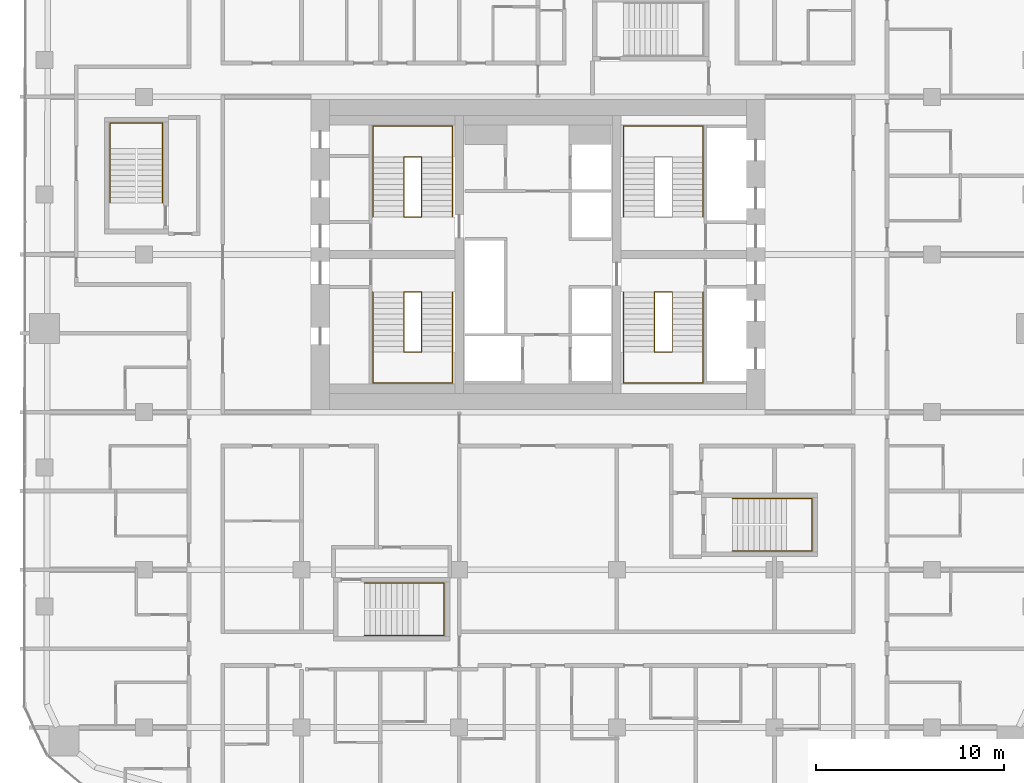
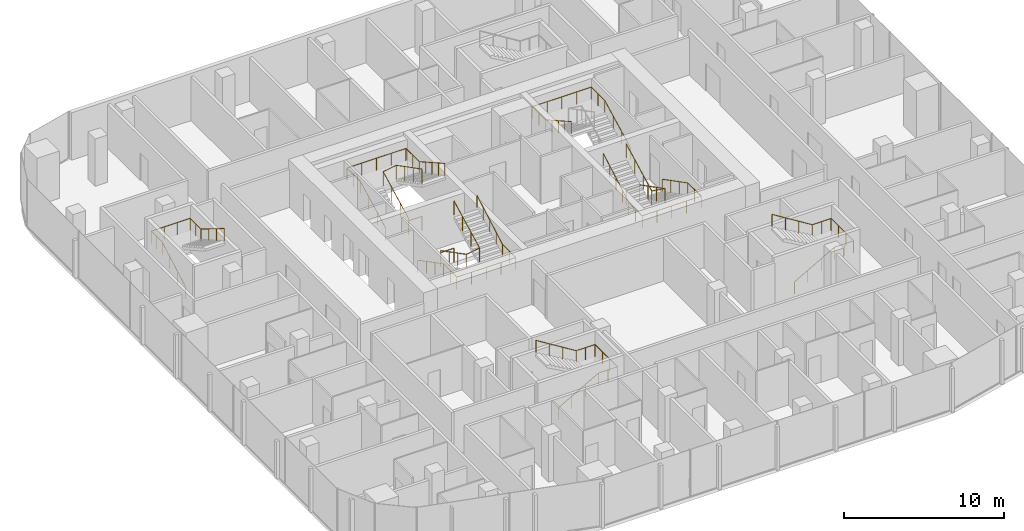
# One storey, part 22 of 23: 10 railings.
"""IFC4 building model written with IfcOpenShell, lengths in metres."""

from ifc_helpers import new_model, si_unit, direction, frame, origin, origin_2d, place, context, subcontext, project, spatial, circle, extrude, material, type_object, element, save


model = new_model("IFC4")

# Units and contexts
model_context = context("Model", 3, precision=1e-05, world=origin(), true_north=direction((0.0, 1.0)))
body_context = subcontext(model_context, "Body", "Model", "MODEL_VIEW")
ifc_project = project(units=[si_unit("LENGTHUNIT", "METRE"), si_unit("AREAUNIT", "SQUARE_METRE"), si_unit("VOLUMEUNIT", "CUBIC_METRE"), si_unit("PLANEANGLEUNIT", "RADIAN"), si_unit("MASSUNIT", "GRAM", prefix="KILO")], contexts=[model_context])

# Site, building, storey
site_placement = place(None, origin())
site = spatial("IfcSite", under=ifc_project, at=site_placement, CompositionType="ELEMENT")
building_placement = place(site_placement, origin())
building = spatial("IfcBuilding", under=site, at=building_placement, Name="Marenta Gate Hotel Tower", CompositionType="ELEMENT")
storey_placement = place(building_placement, frame((0.0, 0.0, 104.89990234375)))
storey = spatial("IfcBuildingStorey", under=building, at=storey_placement, Name="L22", CompositionType="ELEMENT", Elevation=104.89990234375)

# Railings
ifc_material_1 = material(Name="Stainless steel", Category="steel")
railing_type_1 = type_object("IfcRailingType", Name="Core stair handrail 950", PredefinedType="HANDRAIL", material=ifc_material_1)
railing_1_placement = place(storey_placement, frame((-8.800048828125, 6.39990234375, 0.150146484375)))
element("IfcRailing", 1, at=railing_1_placement, inside=storey, type_object=railing_type_1, Name="HR-950 L22-KR-ST1-1", PredefinedType="HANDRAIL", context=body_context, shape_type="SweptSolid", body=[
    extrude(circle(Radius=0.02392578125, at=origin_2d()), frame((0.0, 0.0, 0.92578125), z_axis=(0.0, -0.888225295554, 0.459408123936), x_axis=(1.0, 0.0, 0.0)), (0.0, 0.0, 1.0), 3.59130859375),
    extrude(circle(Radius=0.02392578125, at=origin_2d()), frame((0.0, -3.18994140625, 2.57568359375), z_axis=(0.0, -1.0, 0.0), x_axis=(1.0, 0.0, 0.0)), (0.0, 0.0, 1.0), 1.659912109375),
    extrude(circle(Radius=0.02392578125, at=origin_2d()), frame((0.0, -4.849853515625, 2.57568359375), z_axis=(1.0, 0.0, 0.0), x_axis=(0.0, 1.0, 0.0)), (0.0, 0.0, 1.0), 4.25),
    extrude(circle(Radius=0.02392578125, at=origin_2d()), frame((4.25, -4.849853515625, 2.57568359375), z_axis=(0.0, 1.0, 0.0), x_axis=(-1.0, 0.0, 0.0)), (0.0, 0.0, 1.0), 1.659912109375),
    extrude(circle(Radius=0.02392578125, at=origin_2d()), frame((4.25, -3.18994140625, 2.57568359375), z_axis=(0.0, 0.87090897868, 0.491444351738), x_axis=(-1.0, 0.0, 0.0)), (0.0, 0.0, 1.0), 3.662841796875),
    extrude(circle(Radius=0.02099609375, at=origin_2d()), origin(), (0.0, 0.0, 1.0), 0.90185546875),
    extrude(circle(Radius=0.02099609375, at=origin_2d()), frame((0.0, -1.063232421875, 0.550048828125)), (0.0, 0.0, 1.0), 0.90185546875),
    extrude(circle(Radius=0.02099609375, at=origin_2d()), frame((0.0, -2.126708984375, 1.099853515625)), (0.0, 0.0, 1.0), 0.90185546875),
    extrude(circle(Radius=0.02099609375, at=origin_2d()), frame((0.0, -3.18994140625, 1.64990234375)), (0.0, 0.0, 1.0), 0.90185546875),
    extrude(circle(Radius=0.02099609375, at=origin_2d()), frame((0.0, -4.02001953125, 1.64990234375)), (0.0, 0.0, 1.0), 0.90185546875),
    extrude(circle(Radius=0.02099609375, at=origin_2d()), frame((0.0, -4.849853515625, 1.64990234375)), (0.0, 0.0, 1.0), 0.90185546875),
    extrude(circle(Radius=0.02099609375, at=origin_2d()), frame((1.0625, -4.849853515625, 1.64990234375)), (0.0, 0.0, 1.0), 0.90185546875),
    extrude(circle(Radius=0.02099609375, at=origin_2d()), frame((2.125, -4.849853515625, 1.64990234375)), (0.0, 0.0, 1.0), 0.90185546875),
    extrude(circle(Radius=0.02099609375, at=origin_2d()), frame((3.1875, -4.849853515625, 1.64990234375)), (0.0, 0.0, 1.0), 0.90185546875),
    extrude(circle(Radius=0.02099609375, at=origin_2d()), frame((4.25, -4.849853515625, 1.64990234375)), (0.0, 0.0, 1.0), 0.90185546875),
    extrude(circle(Radius=0.02099609375, at=origin_2d()), frame((4.25, -4.02001953125, 1.64990234375)), (0.0, 0.0, 1.0), 0.90185546875),
    extrude(circle(Radius=0.02099609375, at=origin_2d()), frame((4.25, -3.18994140625, 1.64990234375)), (0.0, 0.0, 1.0), 0.90185546875),
    extrude(circle(Radius=0.02099609375, at=origin_2d()), frame((4.25, -2.392578125, 2.099853515625)), (0.0, 0.0, 1.0), 0.90185546875),
    extrude(circle(Radius=0.02099609375, at=origin_2d()), frame((4.25, -1.594970703125, 2.5498046875)), (0.0, 0.0, 1.0), 0.90185546875),
    extrude(circle(Radius=0.02099609375, at=origin_2d()), frame((4.25, -0.79736328125, 3.0)), (0.0, 0.0, 1.0), 0.90185546875),
    extrude(circle(Radius=0.02099609375, at=origin_2d()), frame((4.25, 0.0, 3.449951171875)), (0.0, 0.0, 1.0), 0.90185546875),
])
railing_2_placement = place(storey_placement, frame((-8.800048828125, 10.39990234375, 0.150146484375)))
element("IfcRailing", 2, at=railing_2_placement, inside=storey, type_object=railing_type_1, Name="HR-950 L22-KR-ST2-1", PredefinedType="HANDRAIL", context=body_context, shape_type="SweptSolid", body=[
    extrude(circle(Radius=0.02392578125, at=origin_2d()), frame((0.0, 0.0, 0.92578125), z_axis=(0.0, 0.888239641807, 0.459380385653), x_axis=(-1.0, 0.0, 0.0)), (0.0, 0.0, 1.0), 3.591552734375),
    extrude(circle(Radius=0.02392578125, at=origin_2d()), frame((0.0, 3.190185546875, 2.57568359375), z_axis=(0.0, 1.0, 0.0), x_axis=(-1.0, 0.0, 0.0)), (0.0, 0.0, 1.0), 1.659912109375),
    extrude(circle(Radius=0.02392578125, at=origin_2d()), frame((0.0, 4.85009765625, 2.57568359375), z_axis=(1.0, 0.0, 0.0), x_axis=(0.0, 1.0, 0.0)), (0.0, 0.0, 1.0), 4.25),
    extrude(circle(Radius=0.02392578125, at=origin_2d()), frame((4.25, 4.85009765625, 2.57568359375), z_axis=(0.0, -1.0, 0.0), x_axis=(1.0, 0.0, 0.0)), (0.0, 0.0, 1.0), 1.659912109375),
    extrude(circle(Radius=0.02392578125, at=origin_2d()), frame((4.25, 3.190185546875, 2.57568359375), z_axis=(0.0, -0.870925075533, 0.491415824742), x_axis=(1.0, 0.0, 0.0)), (0.0, 0.0, 1.0), 3.6630859375),
    extrude(circle(Radius=0.02099609375, at=origin_2d()), origin(), (0.0, 0.0, 1.0), 0.90185546875),
    extrude(circle(Radius=0.02099609375, at=origin_2d()), frame((0.0, 1.0634765625, 0.550048828125)), (0.0, 0.0, 1.0), 0.90185546875),
    extrude(circle(Radius=0.02099609375, at=origin_2d()), frame((0.0, 2.126708984375, 1.099853515625)), (0.0, 0.0, 1.0), 0.90185546875),
    extrude(circle(Radius=0.02099609375, at=origin_2d()), frame((0.0, 3.190185546875, 1.64990234375)), (0.0, 0.0, 1.0), 0.90185546875),
    extrude(circle(Radius=0.02099609375, at=origin_2d()), frame((0.0, 4.02001953125, 1.64990234375)), (0.0, 0.0, 1.0), 0.90185546875),
    extrude(circle(Radius=0.02099609375, at=origin_2d()), frame((0.0, 4.85009765625, 1.64990234375)), (0.0, 0.0, 1.0), 0.90185546875),
    extrude(circle(Radius=0.02099609375, at=origin_2d()), frame((1.0625, 4.85009765625, 1.64990234375)), (0.0, 0.0, 1.0), 0.90185546875),
    extrude(circle(Radius=0.02099609375, at=origin_2d()), frame((2.125, 4.85009765625, 1.64990234375)), (0.0, 0.0, 1.0), 0.90185546875),
    extrude(circle(Radius=0.02099609375, at=origin_2d()), frame((3.1875, 4.85009765625, 1.64990234375)), (0.0, 0.0, 1.0), 0.90185546875),
    extrude(circle(Radius=0.02099609375, at=origin_2d()), frame((4.25, 4.85009765625, 1.64990234375)), (0.0, 0.0, 1.0), 0.90185546875),
    extrude(circle(Radius=0.02099609375, at=origin_2d()), frame((4.25, 4.02001953125, 1.64990234375)), (0.0, 0.0, 1.0), 0.90185546875),
    extrude(circle(Radius=0.02099609375, at=origin_2d()), frame((4.25, 3.190185546875, 1.64990234375)), (0.0, 0.0, 1.0), 0.90185546875),
    extrude(circle(Radius=0.02099609375, at=origin_2d()), frame((4.25, 2.392578125, 2.099853515625)), (0.0, 0.0, 1.0), 0.90185546875),
    extrude(circle(Radius=0.02099609375, at=origin_2d()), frame((4.25, 1.59521484375, 2.5498046875)), (0.0, 0.0, 1.0), 0.90185546875),
    extrude(circle(Radius=0.02099609375, at=origin_2d()), frame((4.25, 0.797607421875, 3.0)), (0.0, 0.0, 1.0), 0.90185546875),
    extrude(circle(Radius=0.02099609375, at=origin_2d()), frame((4.25, 0.0, 3.449951171875)), (0.0, 0.0, 1.0), 0.90185546875),
])
railing_3_placement = place(storey_placement, frame((8.800048828125, 6.39990234375, 0.150146484375)))
element("IfcRailing", 3, at=railing_3_placement, inside=storey, type_object=railing_type_1, Name="HR-950 L22-KR-ST3-1", PredefinedType="HANDRAIL", context=body_context, shape_type="SweptSolid", body=[
    extrude(circle(Radius=0.02392578125, at=origin_2d()), frame((0.0, 0.0, 0.92578125), z_axis=(0.0, -0.888225295554, 0.459408123936), x_axis=(1.0, 0.0, 0.0)), (0.0, 0.0, 1.0), 3.59130859375),
    extrude(circle(Radius=0.02392578125, at=origin_2d()), frame((0.0, -3.18994140625, 2.57568359375), z_axis=(0.0, -1.0, 0.0), x_axis=(1.0, 0.0, 0.0)), (0.0, 0.0, 1.0), 1.659912109375),
    extrude(circle(Radius=0.02392578125, at=origin_2d()), frame((0.0, -4.849853515625, 2.57568359375), z_axis=(-1.0, 0.0, 0.0), x_axis=(0.0, -1.0, 0.0)), (0.0, 0.0, 1.0), 4.25),
    extrude(circle(Radius=0.02392578125, at=origin_2d()), frame((-4.25, -4.849853515625, 2.57568359375), z_axis=(0.0, 1.0, 0.0), x_axis=(-1.0, 0.0, 0.0)), (0.0, 0.0, 1.0), 1.659912109375),
    extrude(circle(Radius=0.02392578125, at=origin_2d()), frame((-4.25, -3.18994140625, 2.57568359375), z_axis=(0.0, 0.87090897868, 0.491444351738), x_axis=(-1.0, 0.0, 0.0)), (0.0, 0.0, 1.0), 3.662841796875),
    extrude(circle(Radius=0.02099609375, at=origin_2d()), origin(), (0.0, 0.0, 1.0), 0.90185546875),
    extrude(circle(Radius=0.02099609375, at=origin_2d()), frame((0.0, -1.063232421875, 0.550048828125)), (0.0, 0.0, 1.0), 0.90185546875),
    extrude(circle(Radius=0.02099609375, at=origin_2d()), frame((0.0, -2.126708984375, 1.099853515625)), (0.0, 0.0, 1.0), 0.90185546875),
    extrude(circle(Radius=0.02099609375, at=origin_2d()), frame((0.0, -3.18994140625, 1.64990234375)), (0.0, 0.0, 1.0), 0.90185546875),
    extrude(circle(Radius=0.02099609375, at=origin_2d()), frame((0.0, -4.02001953125, 1.64990234375)), (0.0, 0.0, 1.0), 0.90185546875),
    extrude(circle(Radius=0.02099609375, at=origin_2d()), frame((0.0, -4.849853515625, 1.64990234375)), (0.0, 0.0, 1.0), 0.90185546875),
    extrude(circle(Radius=0.02099609375, at=origin_2d()), frame((-1.0625, -4.849853515625, 1.64990234375)), (0.0, 0.0, 1.0), 0.90185546875),
    extrude(circle(Radius=0.02099609375, at=origin_2d()), frame((-2.125, -4.849853515625, 1.64990234375)), (0.0, 0.0, 1.0), 0.90185546875),
    extrude(circle(Radius=0.02099609375, at=origin_2d()), frame((-3.1875, -4.849853515625, 1.64990234375)), (0.0, 0.0, 1.0), 0.90185546875),
    extrude(circle(Radius=0.02099609375, at=origin_2d()), frame((-4.25, -4.849853515625, 1.64990234375)), (0.0, 0.0, 1.0), 0.90185546875),
    extrude(circle(Radius=0.02099609375, at=origin_2d()), frame((-4.25, -4.02001953125, 1.64990234375)), (0.0, 0.0, 1.0), 0.90185546875),
    extrude(circle(Radius=0.02099609375, at=origin_2d()), frame((-4.25, -3.18994140625, 1.64990234375)), (0.0, 0.0, 1.0), 0.90185546875),
    extrude(circle(Radius=0.02099609375, at=origin_2d()), frame((-4.25, -2.392578125, 2.099853515625)), (0.0, 0.0, 1.0), 0.90185546875),
    extrude(circle(Radius=0.02099609375, at=origin_2d()), frame((-4.25, -1.594970703125, 2.5498046875)), (0.0, 0.0, 1.0), 0.90185546875),
    extrude(circle(Radius=0.02099609375, at=origin_2d()), frame((-4.25, -0.79736328125, 3.0)), (0.0, 0.0, 1.0), 0.90185546875),
    extrude(circle(Radius=0.02099609375, at=origin_2d()), frame((-4.25, 0.0, 3.449951171875)), (0.0, 0.0, 1.0), 0.90185546875),
])
railing_4_placement = place(storey_placement, frame((8.800048828125, 10.39990234375, 0.150146484375)))
element("IfcRailing", 4, at=railing_4_placement, inside=storey, type_object=railing_type_1, Name="HR-950 L22-KR-ST4-1", PredefinedType="HANDRAIL", context=body_context, shape_type="SweptSolid", body=[
    extrude(circle(Radius=0.02392578125, at=origin_2d()), frame((0.0, 0.0, 0.92578125), z_axis=(0.0, 0.888239641807, 0.459380385653), x_axis=(-1.0, 0.0, 0.0)), (0.0, 0.0, 1.0), 3.591552734375),
    extrude(circle(Radius=0.02392578125, at=origin_2d()), frame((0.0, 3.190185546875, 2.57568359375), z_axis=(0.0, 1.0, 0.0), x_axis=(-1.0, 0.0, 0.0)), (0.0, 0.0, 1.0), 1.659912109375),
    extrude(circle(Radius=0.02392578125, at=origin_2d()), frame((0.0, 4.85009765625, 2.57568359375), z_axis=(-1.0, 0.0, 0.0), x_axis=(0.0, -1.0, 0.0)), (0.0, 0.0, 1.0), 4.25),
    extrude(circle(Radius=0.02392578125, at=origin_2d()), frame((-4.25, 4.85009765625, 2.57568359375), z_axis=(0.0, -1.0, 0.0), x_axis=(1.0, 0.0, 0.0)), (0.0, 0.0, 1.0), 1.659912109375),
    extrude(circle(Radius=0.02392578125, at=origin_2d()), frame((-4.25, 3.190185546875, 2.57568359375), z_axis=(0.0, -0.870925075533, 0.491415824742), x_axis=(1.0, 0.0, 0.0)), (0.0, 0.0, 1.0), 3.6630859375),
    extrude(circle(Radius=0.02099609375, at=origin_2d()), origin(), (0.0, 0.0, 1.0), 0.90185546875),
    extrude(circle(Radius=0.02099609375, at=origin_2d()), frame((0.0, 1.0634765625, 0.550048828125)), (0.0, 0.0, 1.0), 0.90185546875),
    extrude(circle(Radius=0.02099609375, at=origin_2d()), frame((0.0, 2.126708984375, 1.099853515625)), (0.0, 0.0, 1.0), 0.90185546875),
    extrude(circle(Radius=0.02099609375, at=origin_2d()), frame((0.0, 3.190185546875, 1.64990234375)), (0.0, 0.0, 1.0), 0.90185546875),
    extrude(circle(Radius=0.02099609375, at=origin_2d()), frame((0.0, 4.02001953125, 1.64990234375)), (0.0, 0.0, 1.0), 0.90185546875),
    extrude(circle(Radius=0.02099609375, at=origin_2d()), frame((0.0, 4.85009765625, 1.64990234375)), (0.0, 0.0, 1.0), 0.90185546875),
    extrude(circle(Radius=0.02099609375, at=origin_2d()), frame((-1.0625, 4.85009765625, 1.64990234375)), (0.0, 0.0, 1.0), 0.90185546875),
    extrude(circle(Radius=0.02099609375, at=origin_2d()), frame((-2.125, 4.85009765625, 1.64990234375)), (0.0, 0.0, 1.0), 0.90185546875),
    extrude(circle(Radius=0.02099609375, at=origin_2d()), frame((-3.1875, 4.85009765625, 1.64990234375)), (0.0, 0.0, 1.0), 0.90185546875),
    extrude(circle(Radius=0.02099609375, at=origin_2d()), frame((-4.25, 4.85009765625, 1.64990234375)), (0.0, 0.0, 1.0), 0.90185546875),
    extrude(circle(Radius=0.02099609375, at=origin_2d()), frame((-4.25, 4.02001953125, 1.64990234375)), (0.0, 0.0, 1.0), 0.90185546875),
    extrude(circle(Radius=0.02099609375, at=origin_2d()), frame((-4.25, 3.190185546875, 1.64990234375)), (0.0, 0.0, 1.0), 0.90185546875),
    extrude(circle(Radius=0.02099609375, at=origin_2d()), frame((-4.25, 2.392578125, 2.099853515625)), (0.0, 0.0, 1.0), 0.90185546875),
    extrude(circle(Radius=0.02099609375, at=origin_2d()), frame((-4.25, 1.59521484375, 2.5498046875)), (0.0, 0.0, 1.0), 0.90185546875),
    extrude(circle(Radius=0.02099609375, at=origin_2d()), frame((-4.25, 0.797607421875, 3.0)), (0.0, 0.0, 1.0), 0.90185546875),
    extrude(circle(Radius=0.02099609375, at=origin_2d()), frame((-4.25, 0.0, 3.449951171875)), (0.0, 0.0, 1.0), 0.90185546875),
])
railing_5_placement = place(storey_placement, frame((-22.800048828125, 11.14990234375, 0.163818359375)))
element("IfcRailing", 5, at=railing_5_placement, inside=storey, type_object=railing_type_1, Name="HR-950 L22-RS-Z1-3-KR-1", PredefinedType="HANDRAIL", context=body_context, shape_type="SweptSolid", body=[
    extrude(circle(Radius=0.02392578125, at=origin_2d()), frame((0.0, 0.0, 0.92578125), z_axis=(0.0, 0.870946286338, 0.49137823142), x_axis=(-1.0, 0.0, 0.0)), (0.0, 0.0, 1.0), 3.329833984375),
    extrude(circle(Radius=0.02392578125, at=origin_2d()), frame((0.0, 2.900146484375, 2.56201171875), z_axis=(0.0, 1.0, 0.0), x_axis=(-1.0, 0.0, 0.0)), (0.0, 0.0, 1.0), 1.349853515625),
    extrude(circle(Radius=0.02392578125, at=origin_2d()), frame((0.0, 4.25, 2.56201171875), z_axis=(1.0, 0.0, 0.0), x_axis=(0.0, 1.0, 0.0)), (0.0, 0.0, 1.0), 2.800048828125),
    extrude(circle(Radius=0.02392578125, at=origin_2d()), frame((2.800048828125, 4.25, 2.56201171875), z_axis=(0.0, -1.0, 0.0), x_axis=(1.0, 0.0, 0.0)), (0.0, 0.0, 1.0), 1.349853515625),
    extrude(circle(Radius=0.02392578125, at=origin_2d()), frame((2.800048828125, 2.900146484375, 2.56201171875), z_axis=(0.0, -0.849645691689, 0.527353959494), x_axis=(1.0, 0.0, 0.0)), (0.0, 0.0, 1.0), 3.413330078125),
    extrude(circle(Radius=0.02099609375, at=origin_2d()), origin(), (0.0, 0.0, 1.0), 0.90185546875),
    extrude(circle(Radius=0.02099609375, at=origin_2d()), frame((0.0, 0.966796875, 0.54541015625)), (0.0, 0.0, 1.0), 0.90185546875),
    extrude(circle(Radius=0.02099609375, at=origin_2d()), frame((0.0, 1.933349609375, 1.0908203125)), (0.0, 0.0, 1.0), 0.90185546875),
    extrude(circle(Radius=0.02099609375, at=origin_2d()), frame((0.0, 2.900146484375, 1.63623046875)), (0.0, 0.0, 1.0), 0.90185546875),
    extrude(circle(Radius=0.02099609375, at=origin_2d()), frame((0.0, 3.5751953125, 1.63623046875)), (0.0, 0.0, 1.0), 0.90185546875),
    extrude(circle(Radius=0.02099609375, at=origin_2d()), frame((0.0, 4.25, 1.63623046875)), (0.0, 0.0, 1.0), 0.90185546875),
    extrude(circle(Radius=0.02099609375, at=origin_2d()), frame((0.933349609375, 4.25, 1.63623046875)), (0.0, 0.0, 1.0), 0.90185546875),
    extrude(circle(Radius=0.02099609375, at=origin_2d()), frame((1.86669921875, 4.25, 1.63623046875)), (0.0, 0.0, 1.0), 0.90185546875),
    extrude(circle(Radius=0.02099609375, at=origin_2d()), frame((2.800048828125, 4.25, 1.63623046875)), (0.0, 0.0, 1.0), 0.90185546875),
    extrude(circle(Radius=0.02099609375, at=origin_2d()), frame((2.800048828125, 3.5751953125, 1.63623046875)), (0.0, 0.0, 1.0), 0.90185546875),
    extrude(circle(Radius=0.02099609375, at=origin_2d()), frame((2.800048828125, 2.900146484375, 1.63623046875)), (0.0, 0.0, 1.0), 0.90185546875),
    extrude(circle(Radius=0.02099609375, at=origin_2d()), frame((2.800048828125, 1.933349609375, 2.236328125)), (0.0, 0.0, 1.0), 0.90185546875),
    extrude(circle(Radius=0.02099609375, at=origin_2d()), frame((2.800048828125, 0.966796875, 2.836181640625)), (0.0, 0.0, 1.0), 0.90185546875),
    extrude(circle(Radius=0.02099609375, at=origin_2d()), frame((2.800048828125, 0.0, 3.436279296875)), (0.0, 0.0, 1.0), 0.90185546875),
])
railing_6_placement = place(storey_placement, frame((-9.25, -11.89990234375, 0.163818359375)))
element("IfcRailing", 6, at=railing_6_placement, inside=storey, type_object=railing_type_1, Name="HR-950 L22-RS-Z2-1-KR-1", PredefinedType="HANDRAIL", context=body_context, shape_type="SweptSolid", body=[
    extrude(circle(Radius=0.02392578125, at=origin_2d()), frame((0.0, 0.0, 0.92578125), z_axis=(0.870928581787, 0.0, 0.491409610636), x_axis=(0.0, 1.0, 0.0)), (0.0, 0.0, 1.0), 3.32958984375),
    extrude(circle(Radius=0.02392578125, at=origin_2d()), frame((2.89990234375, 0.0, 2.56201171875), z_axis=(1.0, 0.0, 0.0), x_axis=(0.0, 1.0, 0.0)), (0.0, 0.0, 1.0), 1.35009765625),
    extrude(circle(Radius=0.02392578125, at=origin_2d()), frame((4.25, 0.0, 2.56201171875), z_axis=(0.0, 1.0, 0.0), x_axis=(-1.0, 0.0, 0.0)), (0.0, 0.0, 1.0), 2.7998046875),
    extrude(circle(Radius=0.02392578125, at=origin_2d()), frame((4.25, 2.7998046875, 2.56201171875), z_axis=(-1.0, 0.0, 0.0), x_axis=(0.0, -1.0, 0.0)), (0.0, 0.0, 1.0), 1.35009765625),
    extrude(circle(Radius=0.02392578125, at=origin_2d()), frame((2.89990234375, 2.7998046875, 2.56201171875), z_axis=(-0.849625798611, 0.0, 0.527386008853), x_axis=(0.0, -1.0, 0.0)), (0.0, 0.0, 1.0), 3.4130859375),
    extrude(circle(Radius=0.02099609375, at=origin_2d()), origin(), (0.0, 0.0, 1.0), 0.90185546875),
    extrude(circle(Radius=0.02099609375, at=origin_2d()), frame((0.966552734375, 0.0, 0.54541015625)), (0.0, 0.0, 1.0), 0.90185546875),
    extrude(circle(Radius=0.02099609375, at=origin_2d()), frame((1.933349609375, 0.0, 1.0908203125)), (0.0, 0.0, 1.0), 0.90185546875),
    extrude(circle(Radius=0.02099609375, at=origin_2d()), frame((2.89990234375, 0.0, 1.63623046875)), (0.0, 0.0, 1.0), 0.90185546875),
    extrude(circle(Radius=0.02099609375, at=origin_2d()), frame((3.574951171875, 0.0, 1.63623046875)), (0.0, 0.0, 1.0), 0.90185546875),
    extrude(circle(Radius=0.02099609375, at=origin_2d()), frame((4.25, 0.0, 1.63623046875)), (0.0, 0.0, 1.0), 0.90185546875),
    extrude(circle(Radius=0.02099609375, at=origin_2d()), frame((4.25, 0.933349609375, 1.63623046875)), (0.0, 0.0, 1.0), 0.90185546875),
    extrude(circle(Radius=0.02099609375, at=origin_2d()), frame((4.25, 1.866455078125, 1.63623046875)), (0.0, 0.0, 1.0), 0.90185546875),
    extrude(circle(Radius=0.02099609375, at=origin_2d()), frame((4.25, 2.7998046875, 1.63623046875)), (0.0, 0.0, 1.0), 0.90185546875),
    extrude(circle(Radius=0.02099609375, at=origin_2d()), frame((3.574951171875, 2.7998046875, 1.63623046875)), (0.0, 0.0, 1.0), 0.90185546875),
    extrude(circle(Radius=0.02099609375, at=origin_2d()), frame((2.89990234375, 2.7998046875, 1.63623046875)), (0.0, 0.0, 1.0), 0.90185546875),
    extrude(circle(Radius=0.02099609375, at=origin_2d()), frame((1.933349609375, 2.7998046875, 2.236328125)), (0.0, 0.0, 1.0), 0.90185546875),
    extrude(circle(Radius=0.02099609375, at=origin_2d()), frame((0.966552734375, 2.7998046875, 2.836181640625)), (0.0, 0.0, 1.0), 0.90185546875),
    extrude(circle(Radius=0.02099609375, at=origin_2d()), frame((0.0, 2.7998046875, 3.436279296875)), (0.0, 0.0, 1.0), 0.90185546875),
])
railing_7_placement = place(storey_placement, frame((10.35009765625, -7.39990234375, 0.163818359375)))
element("IfcRailing", 7, at=railing_7_placement, inside=storey, type_object=railing_type_1, Name="HR-950 L22-RS-Z2-2-KR-1", PredefinedType="HANDRAIL", context=body_context, shape_type="SweptSolid", body=[
    extrude(circle(Radius=0.02392578125, at=origin_2d()), frame((0.0, 0.0, 0.92578125), z_axis=(0.870928581787, 0.0, 0.491409610636), x_axis=(0.0, 1.0, 0.0)), (0.0, 0.0, 1.0), 3.32958984375),
    extrude(circle(Radius=0.02392578125, at=origin_2d()), frame((2.89990234375, 0.0, 2.56201171875), z_axis=(1.0, 0.0, 0.0), x_axis=(0.0, 1.0, 0.0)), (0.0, 0.0, 1.0), 1.35009765625),
    extrude(circle(Radius=0.02392578125, at=origin_2d()), frame((4.25, 0.0, 2.56201171875), z_axis=(0.0, 1.0, 0.0), x_axis=(-1.0, 0.0, 0.0)), (0.0, 0.0, 1.0), 2.7998046875),
    extrude(circle(Radius=0.02392578125, at=origin_2d()), frame((4.25, 2.7998046875, 2.56201171875), z_axis=(-1.0, 0.0, 0.0), x_axis=(0.0, -1.0, 0.0)), (0.0, 0.0, 1.0), 1.35009765625),
    extrude(circle(Radius=0.02392578125, at=origin_2d()), frame((2.89990234375, 2.7998046875, 2.56201171875), z_axis=(-0.849625798611, 0.0, 0.527386008853), x_axis=(0.0, -1.0, 0.0)), (0.0, 0.0, 1.0), 3.4130859375),
    extrude(circle(Radius=0.02099609375, at=origin_2d()), origin(), (0.0, 0.0, 1.0), 0.90185546875),
    extrude(circle(Radius=0.02099609375, at=origin_2d()), frame((0.966552734375, 0.0, 0.54541015625)), (0.0, 0.0, 1.0), 0.90185546875),
    extrude(circle(Radius=0.02099609375, at=origin_2d()), frame((1.933349609375, 0.0, 1.0908203125)), (0.0, 0.0, 1.0), 0.90185546875),
    extrude(circle(Radius=0.02099609375, at=origin_2d()), frame((2.89990234375, 0.0, 1.63623046875)), (0.0, 0.0, 1.0), 0.90185546875),
    extrude(circle(Radius=0.02099609375, at=origin_2d()), frame((3.574951171875, 0.0, 1.63623046875)), (0.0, 0.0, 1.0), 0.90185546875),
    extrude(circle(Radius=0.02099609375, at=origin_2d()), frame((4.25, 0.0, 1.63623046875)), (0.0, 0.0, 1.0), 0.90185546875),
    extrude(circle(Radius=0.02099609375, at=origin_2d()), frame((4.25, 0.933349609375, 1.63623046875)), (0.0, 0.0, 1.0), 0.90185546875),
    extrude(circle(Radius=0.02099609375, at=origin_2d()), frame((4.25, 1.866455078125, 1.63623046875)), (0.0, 0.0, 1.0), 0.90185546875),
    extrude(circle(Radius=0.02099609375, at=origin_2d()), frame((4.25, 2.7998046875, 1.63623046875)), (0.0, 0.0, 1.0), 0.90185546875),
    extrude(circle(Radius=0.02099609375, at=origin_2d()), frame((3.574951171875, 2.7998046875, 1.63623046875)), (0.0, 0.0, 1.0), 0.90185546875),
    extrude(circle(Radius=0.02099609375, at=origin_2d()), frame((2.89990234375, 2.7998046875, 1.63623046875)), (0.0, 0.0, 1.0), 0.90185546875),
    extrude(circle(Radius=0.02099609375, at=origin_2d()), frame((1.933349609375, 2.7998046875, 2.236328125)), (0.0, 0.0, 1.0), 0.90185546875),
    extrude(circle(Radius=0.02099609375, at=origin_2d()), frame((0.966552734375, 2.7998046875, 2.836181640625)), (0.0, 0.0, 1.0), 0.90185546875),
    extrude(circle(Radius=0.02099609375, at=origin_2d()), frame((0.0, 2.7998046875, 3.436279296875)), (0.0, 0.0, 1.0), 0.90185546875),
])
ifc_material_2 = material(Name="Stainless steel", Category="steel")
railing_type_2 = type_object("IfcRailingType", Name="Core stair well guard 1100", PredefinedType="GUARDRAIL", material=ifc_material_2)
railing_8_placement = place(storey_placement, frame((-6.199951171875, 6.39990234375, 0.0)))
element("IfcRailing", 8, at=railing_8_placement, inside=storey, type_object=railing_type_2, Name="GR-1100 L22-KR-ST1-2", PredefinedType="GUARDRAIL", context=body_context, shape_type="SweptSolid", body=[
    extrude(circle(Radius=0.02392578125, at=origin_2d()), frame((0.0, 0.0, 1.076171875), z_axis=(-1.0, 0.0, 0.0), x_axis=(0.0, -1.0, 0.0)), (0.0, 0.0, 1.0), 0.949951171875),
    extrude(circle(Radius=0.02392578125, at=origin_2d()), frame((-0.949951171875, 0.0, 1.076171875), z_axis=(0.0, 0.0, 1.0), x_axis=(1.0, 0.0, 0.0)), (0.0, 0.0, 1.0), 0.150146484375),
    extrude(circle(Radius=0.02392578125, at=origin_2d()), frame((-0.949951171875, 0.0, 1.22607421875), z_axis=(0.0, -0.888225295554, 0.459408123936), x_axis=(1.0, 0.0, 0.0)), (0.0, 0.0, 1.0), 3.59130859375),
    extrude(circle(Radius=0.02392578125, at=origin_2d()), frame((-0.949951171875, -3.18994140625, 2.8759765625), z_axis=(0.987738253826, 0.0, 0.156118999255), x_axis=(0.0, 1.0, 0.0)), (0.0, 0.0, 1.0), 0.961669921875),
    extrude(circle(Radius=0.02392578125, at=origin_2d()), frame((0.0, -3.18994140625, 3.0263671875), z_axis=(0.0, 0.888225295554, 0.459408123936), x_axis=(-1.0, 0.0, 0.0)), (0.0, 0.0, 1.0), 3.59130859375),
    extrude(circle(Radius=0.02099609375, at=origin_2d()), origin(), (0.0, 0.0, 1.0), 1.052001953125),
    extrude(circle(Radius=0.02099609375, at=origin_2d()), frame((-0.949951171875, 0.0, 0.0)), (0.0, 0.0, 1.0), 1.052001953125),
    extrude(circle(Radius=0.02099609375, at=origin_2d()), frame((-0.949951171875, 0.0, 0.150146484375)), (0.0, 0.0, 1.0), 1.052001953125),
    extrude(circle(Radius=0.02099609375, at=origin_2d()), frame((-0.949951171875, -1.063232421875, 0.7001953125)), (0.0, 0.0, 1.0), 1.052001953125),
    extrude(circle(Radius=0.02099609375, at=origin_2d()), frame((-0.949951171875, -2.126708984375, 1.25)), (0.0, 0.0, 1.0), 1.052001953125),
    extrude(circle(Radius=0.02099609375, at=origin_2d()), frame((-0.949951171875, -3.18994140625, 1.800048828125)), (0.0, 0.0, 1.0), 1.052001953125),
    extrude(circle(Radius=0.02099609375, at=origin_2d()), frame((0.0, -3.18994140625, 1.9501953125)), (0.0, 0.0, 1.0), 1.052001953125),
    extrude(circle(Radius=0.02099609375, at=origin_2d()), frame((0.0, -2.126708984375, 2.500244140625)), (0.0, 0.0, 1.0), 1.052001953125),
    extrude(circle(Radius=0.02099609375, at=origin_2d()), frame((0.0, -1.063232421875, 3.050048828125)), (0.0, 0.0, 1.0), 1.052001953125),
    extrude(circle(Radius=0.02099609375, at=origin_2d()), frame((0.0, 0.0, 3.60009765625)), (0.0, 0.0, 1.0), 1.052001953125),
])
railing_9_placement = place(storey_placement, frame((-6.199951171875, 10.39990234375, 0.0)))
element("IfcRailing", 9, at=railing_9_placement, inside=storey, type_object=railing_type_2, Name="GR-1100 L22-KR-ST2-2", PredefinedType="GUARDRAIL", context=body_context, shape_type="SweptSolid", body=[
    extrude(circle(Radius=0.02392578125, at=origin_2d()), frame((0.0, 0.0, 1.076171875), z_axis=(-1.0, 0.0, 0.0), x_axis=(0.0, -1.0, 0.0)), (0.0, 0.0, 1.0), 0.949951171875),
    extrude(circle(Radius=0.02392578125, at=origin_2d()), frame((-0.949951171875, 0.0, 1.076171875), z_axis=(0.0, 0.0, 1.0), x_axis=(1.0, 0.0, 0.0)), (0.0, 0.0, 1.0), 0.150146484375),
    extrude(circle(Radius=0.02392578125, at=origin_2d()), frame((-0.949951171875, 0.0, 1.22607421875), z_axis=(0.0, 0.888239641807, 0.459380385653), x_axis=(-1.0, 0.0, 0.0)), (0.0, 0.0, 1.0), 3.591552734375),
    extrude(circle(Radius=0.02392578125, at=origin_2d()), frame((-0.949951171875, 3.190185546875, 2.8759765625), z_axis=(0.987738253826, 0.0, 0.156118999255), x_axis=(0.0, 1.0, 0.0)), (0.0, 0.0, 1.0), 0.961669921875),
    extrude(circle(Radius=0.02392578125, at=origin_2d()), frame((0.0, 3.190185546875, 3.0263671875), z_axis=(0.0, -0.888239641807, 0.459380385653), x_axis=(1.0, 0.0, 0.0)), (0.0, 0.0, 1.0), 3.591552734375),
    extrude(circle(Radius=0.02099609375, at=origin_2d()), origin(), (0.0, 0.0, 1.0), 1.052001953125),
    extrude(circle(Radius=0.02099609375, at=origin_2d()), frame((-0.949951171875, 0.0, 0.0)), (0.0, 0.0, 1.0), 1.052001953125),
    extrude(circle(Radius=0.02099609375, at=origin_2d()), frame((-0.949951171875, 0.0, 0.150146484375)), (0.0, 0.0, 1.0), 1.052001953125),
    extrude(circle(Radius=0.02099609375, at=origin_2d()), frame((-0.949951171875, 1.0634765625, 0.7001953125)), (0.0, 0.0, 1.0), 1.052001953125),
    extrude(circle(Radius=0.02099609375, at=origin_2d()), frame((-0.949951171875, 2.126708984375, 1.25)), (0.0, 0.0, 1.0), 1.052001953125),
    extrude(circle(Radius=0.02099609375, at=origin_2d()), frame((-0.949951171875, 3.190185546875, 1.800048828125)), (0.0, 0.0, 1.0), 1.052001953125),
    extrude(circle(Radius=0.02099609375, at=origin_2d()), frame((0.0, 3.190185546875, 1.9501953125)), (0.0, 0.0, 1.0), 1.052001953125),
    extrude(circle(Radius=0.02099609375, at=origin_2d()), frame((0.0, 2.126708984375, 2.500244140625)), (0.0, 0.0, 1.0), 1.052001953125),
    extrude(circle(Radius=0.02099609375, at=origin_2d()), frame((0.0, 1.0634765625, 3.050048828125)), (0.0, 0.0, 1.0), 1.052001953125),
    extrude(circle(Radius=0.02099609375, at=origin_2d()), frame((0.0, 0.0, 3.60009765625)), (0.0, 0.0, 1.0), 1.052001953125),
])
railing_10_placement = place(storey_placement, frame((6.199951171875, 6.39990234375, 0.0)))
element("IfcRailing", 10, at=railing_10_placement, inside=storey, type_object=railing_type_2, Name="GR-1100 L22-KR-ST3-2", PredefinedType="GUARDRAIL", context=body_context, shape_type="SweptSolid", body=[
    extrude(circle(Radius=0.02392578125, at=origin_2d()), frame((0.0, 0.0, 1.076171875), z_axis=(1.0, 0.0, 0.0), x_axis=(0.0, 1.0, 0.0)), (0.0, 0.0, 1.0), 0.949951171875),
    extrude(circle(Radius=0.02392578125, at=origin_2d()), frame((0.949951171875, 0.0, 1.076171875), z_axis=(0.0, 0.0, 1.0), x_axis=(1.0, 0.0, 0.0)), (0.0, 0.0, 1.0), 0.150146484375),
    extrude(circle(Radius=0.02392578125, at=origin_2d()), frame((0.949951171875, 0.0, 1.22607421875), z_axis=(0.0, -0.888225295554, 0.459408123936), x_axis=(1.0, 0.0, 0.0)), (0.0, 0.0, 1.0), 3.59130859375),
    extrude(circle(Radius=0.02392578125, at=origin_2d()), frame((0.949951171875, -3.18994140625, 2.8759765625), z_axis=(-0.987738253826, 0.0, 0.156118999255), x_axis=(0.0, -1.0, 0.0)), (0.0, 0.0, 1.0), 0.961669921875),
    extrude(circle(Radius=0.02392578125, at=origin_2d()), frame((0.0, -3.18994140625, 3.0263671875), z_axis=(0.0, 0.888225295554, 0.459408123936), x_axis=(-1.0, 0.0, 0.0)), (0.0, 0.0, 1.0), 3.59130859375),
    extrude(circle(Radius=0.02099609375, at=origin_2d()), origin(), (0.0, 0.0, 1.0), 1.052001953125),
    extrude(circle(Radius=0.02099609375, at=origin_2d()), frame((0.949951171875, 0.0, 0.0)), (0.0, 0.0, 1.0), 1.052001953125),
    extrude(circle(Radius=0.02099609375, at=origin_2d()), frame((0.949951171875, 0.0, 0.150146484375)), (0.0, 0.0, 1.0), 1.052001953125),
    extrude(circle(Radius=0.02099609375, at=origin_2d()), frame((0.949951171875, -1.063232421875, 0.7001953125)), (0.0, 0.0, 1.0), 1.052001953125),
    extrude(circle(Radius=0.02099609375, at=origin_2d()), frame((0.949951171875, -2.126708984375, 1.25)), (0.0, 0.0, 1.0), 1.052001953125),
    extrude(circle(Radius=0.02099609375, at=origin_2d()), frame((0.949951171875, -3.18994140625, 1.800048828125)), (0.0, 0.0, 1.0), 1.052001953125),
    extrude(circle(Radius=0.02099609375, at=origin_2d()), frame((0.0, -3.18994140625, 1.9501953125)), (0.0, 0.0, 1.0), 1.052001953125),
    extrude(circle(Radius=0.02099609375, at=origin_2d()), frame((0.0, -2.126708984375, 2.500244140625)), (0.0, 0.0, 1.0), 1.052001953125),
    extrude(circle(Radius=0.02099609375, at=origin_2d()), frame((0.0, -1.063232421875, 3.050048828125)), (0.0, 0.0, 1.0), 1.052001953125),
    extrude(circle(Radius=0.02099609375, at=origin_2d()), frame((0.0, 0.0, 3.60009765625)), (0.0, 0.0, 1.0), 1.052001953125),
])

save(model, "model.ifc")
